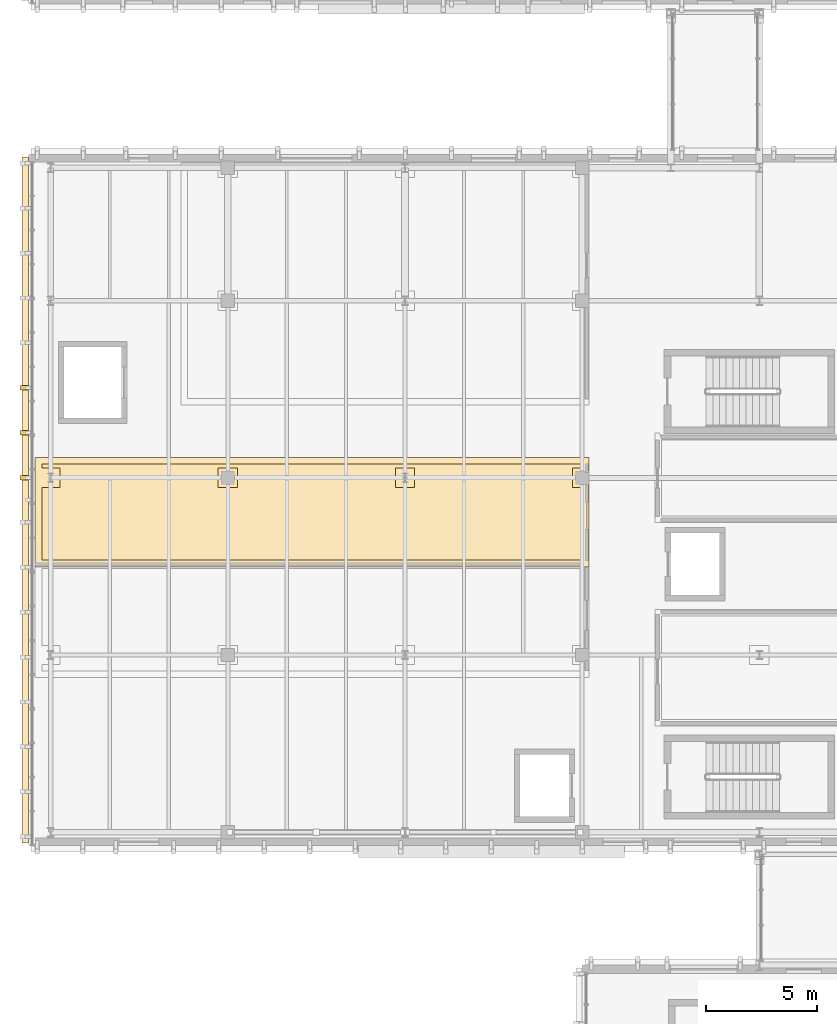
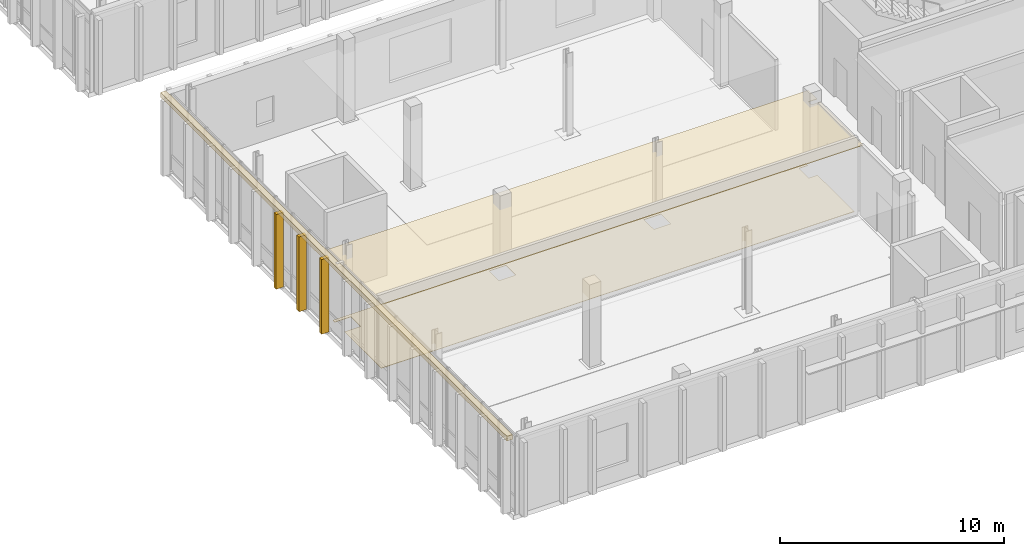
# One storey, part 86 of 100: 6 coverings.
"""IFC4 building model written with IfcOpenShell, lengths in metres."""

from ifc_helpers import new_model, si_unit, direction, frame, origin, origin_2d, place, context, subcontext, project, spatial, polyline, rectangle, outline, extrude, material, layer, layer_set, type_object, element, save


model = new_model("IFC4")

# Units and contexts
model_context = context("Model", 3, precision=1e-05, world=origin(), true_north=direction((0.0, 1.0)))
body_context = subcontext(model_context, "Body", "Model", "MODEL_VIEW")
ifc_project = project(units=[si_unit("LENGTHUNIT", "METRE"), si_unit("AREAUNIT", "SQUARE_METRE"), si_unit("VOLUMEUNIT", "CUBIC_METRE"), si_unit("PLANEANGLEUNIT", "RADIAN"), si_unit("MASSUNIT", "GRAM", prefix="KILO")], contexts=[model_context])

# Site, building, storey
site_placement = place(None, origin())
site = spatial("IfcSite", under=ifc_project, at=site_placement, CompositionType="ELEMENT")
building_placement = place(site_placement, origin())
building = spatial("IfcBuilding", under=site, at=building_placement, Name="Cymarion Research Institute", CompositionType="ELEMENT")
storey_placement = place(building_placement, frame((0.0, 0.0, 9.300048828125)))
storey = spatial("IfcBuildingStorey", under=building, at=storey_placement, Name="L02", CompositionType="ELEMENT", Elevation=9.300048828125)

# Coverings
ifc_material_1 = material(Name="Micro-perforated mineral acoustic ceiling tile", Category="gypsum")
ifc_layer_1 = layer(ifc_material_1, 0.030029296875)
ifc_layer_set_1 = layer_set([ifc_layer_1], Name="Micro-perforated mineral acoustic ceiling tile")
covering_type_1 = type_object("IfcCoveringType", Name="ACOUSTIC MICRO-PERFORATED SUSPENDED CEILING CLG-01", PredefinedType="CEILING", material=ifc_layer_set_1)
covering_1_placement = place(storey_placement, frame((0.0, 0.0, 3.699951171875)))
element("IfcCovering", 1, at=covering_1_placement, inside=storey, type_object=covering_type_1, Name="L02 L02 ISO Class 6 Nanofabrication & Lithography Cleanroom acoustic ceiling", PredefinedType="CEILING", context=body_context, shape_type="SweptSolid", body=[
    extrude(outline(polyline([(30.465087890625, 63.635009765625), (30.465087890625, 63.364990234375), (30.9150390625, 63.364990234375), (30.9150390625, 59.485107421875), (5.905029296875, 59.485107421875), (5.905029296875, 64.4150390625), (30.9150390625, 64.4150390625), (30.9150390625, 63.635009765625), (30.465087890625, 63.635009765625)])), origin(), (0.0, 0.0, 1.0), 0.030029296875),
])
ifc_material_2 = material(Name="Precast concrete C45/55 architectural white", Category="concrete")
ifc_layer_2 = layer(ifc_material_2, 0.260009765625)
ifc_layer_set_2 = layer_set([ifc_layer_2], Name="Precast concrete C45/55 architectural white")
covering_type_2 = type_object("IfcCoveringType", Name="SCULPTURAL WHITE PRECAST CONCRETE SPANDREL BROW BAND RIB2 280MM", PredefinedType="CLADDING", material=ifc_layer_set_2)
covering_2_placement = place(storey_placement, frame((5.4580078125, 62.5, 4.08984375), z_axis=(0.0, 0.0, 1.0), x_axis=(-1.0, 0.0, 0.0)))
element("IfcCovering", 2, at=covering_2_placement, inside=storey, type_object=covering_type_2, Name="L02 V4 precast spandrel brow band RIB2 #571", PredefinedType="CLADDING", context=body_context, shape_type="SweptSolid", body=[
    extrude(rectangle(XDim=0.280029296875, YDim=30.9599609375, at=origin_2d()), origin(), (0.0, 0.0, 1.0), 0.260009765625),
])
ifc_layer_3 = layer(ifc_material_2, 0.199951171875)
ifc_layer_set_3 = layer_set([ifc_layer_3], Name="Precast concrete C45/55 architectural white")
covering_type_3 = type_object("IfcCoveringType", Name="SCULPTURAL WHITE PRECAST CONCRETE VERTICAL RIB RIB1 380X200", PredefinedType="CLADDING", material=ifc_layer_set_3)
for number, where, z_axis, x_axis, name in (
    (3, (5.407958984375, 67.566650390625, 0.009765625), (0.0, 0.0, 1.0), (-1.0, 0.0, 0.0), "L02 V4 sculptural precast vertical rib RIB1 #577"),
    (4, (5.407958984375, 65.5400390625, 0.009765625), (0.0, 0.0, 1.0), (-1.0, 0.0, 0.0), "L02 V4 sculptural precast vertical rib RIB1 #578"),
    (5, (5.407958984375, 63.51318359375, 0.009765625), (0.0, 0.0, 1.0), (-1.0, 0.0, 0.0), "L02 V4 sculptural precast vertical rib RIB1 #579"),
):
    element("IfcCovering", number, at=place(storey_placement, frame(where, z_axis=z_axis, x_axis=x_axis)), inside=storey, type_object=covering_type_3, Name=name, PredefinedType="CLADDING", context=body_context, shape_type="SweptSolid", body=[
        extrude(rectangle(XDim=0.3798828125, YDim=0.199951171875, at=origin_2d()), origin(), (0.0, 0.0, 1.0), 4.074951171875),
    ])
ifc_material_3 = material(Name="Seamless dissipative epoxy resin flooring", Category="resin")
ifc_layer_4 = layer(ifc_material_3, 0.02001953125)
ifc_layer_set_4 = layer_set([ifc_layer_4], Name="Seamless dissipative epoxy resin flooring")
covering_type_4 = type_object("IfcCoveringType", Name="SEAMLESS ESD EPOXY LABORATORY FLOORING FLR-01", PredefinedType="FLOORING", material=ifc_layer_set_4)
covering_3_placement = place(storey_placement, origin())
element("IfcCovering", 6, at=covering_3_placement, inside=storey, type_object=covering_type_4, Name="L02 L02 ISO Class 6 Nanofabrication & Lithography Cleanroom ESD epoxy flooring", PredefinedType="FLOORING", context=body_context, shape_type="SweptSolid", body=[
    extrude(outline(polyline([(6.205078125, 63.06494140625), (7.034912109375, 63.06494140625), (7.034912109375, 63.93505859375), (6.205078125, 63.93505859375), (6.205078125, 64.114990234375), (30.614990234375, 64.114990234375), (30.614990234375, 63.93505859375), (30.1650390625, 63.93505859375), (30.1650390625, 63.06494140625), (30.614990234375, 63.06494140625), (30.614990234375, 59.784912109375), (6.205078125, 59.784912109375), (6.205078125, 63.06494140625)]), holes=[polyline([(23.034912109375, 63.93505859375), (22.1650390625, 63.93505859375), (22.1650390625, 63.06494140625), (23.034912109375, 63.06494140625), (23.034912109375, 63.93505859375)]), polyline([(15.034912109375, 63.93505859375), (14.1650390625, 63.93505859375), (14.1650390625, 63.06494140625), (15.034912109375, 63.06494140625), (15.034912109375, 63.93505859375)])]), origin(), (0.0, 0.0, 1.0), 0.02001953125),
])

save(model, "model.ifc")
